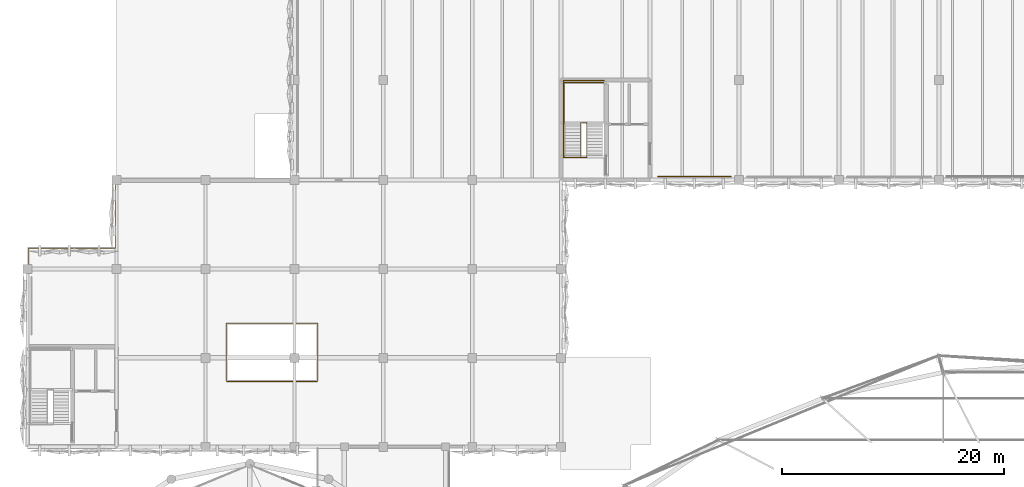
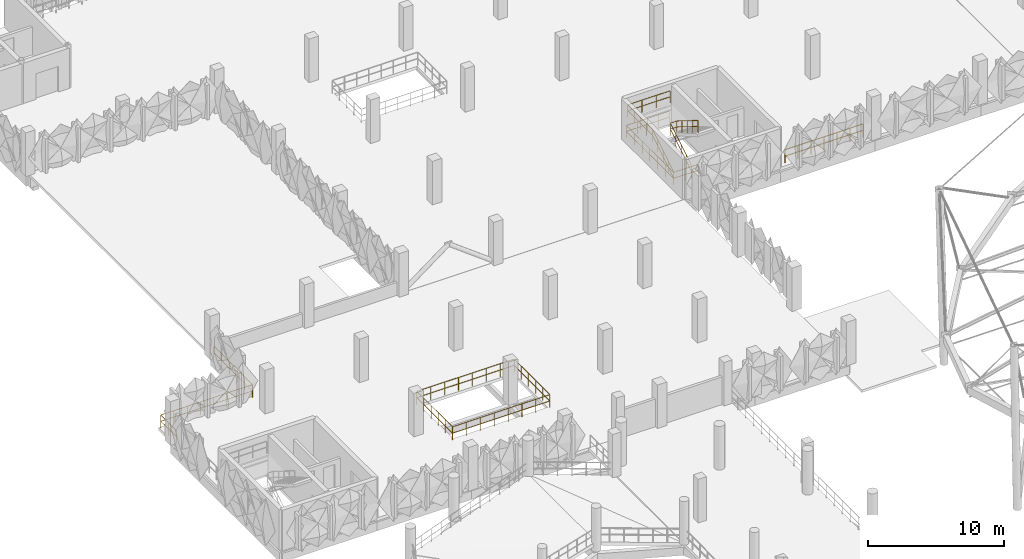
# One storey, part 85 of 96: 6 railings.
"""IFC4 building model written with IfcOpenShell, lengths in metres."""

from ifc_helpers import new_model, si_unit, derived_unit, direction, frame, origin, origin_2d, place, context, subcontext, project, spatial, circle, extrude, material, type_object, element, save


model = new_model("IFC4")

# Units and contexts
model_context = context("Model", 3, precision=1e-05, world=origin(), true_north=direction((0.0, 1.0)))
body_context = subcontext(model_context, "Body", "Model", "MODEL_VIEW")
ifc_project = project(units=[si_unit("LENGTHUNIT", "METRE"), si_unit("AREAUNIT", "SQUARE_METRE"), si_unit("VOLUMEUNIT", "CUBIC_METRE"), si_unit("PLANEANGLEUNIT", "RADIAN"), si_unit("MASSUNIT", "GRAM", prefix="KILO"), si_unit("THERMODYNAMICTEMPERATUREUNIT", "KELVIN"), derived_unit("THERMALTRANSMITTANCEUNIT", [(si_unit("POWERUNIT", "WATT"), 1), (si_unit("AREAUNIT", "SQUARE_METRE"), -1), (si_unit("THERMODYNAMICTEMPERATUREUNIT", "KELVIN"), -1)])], contexts=[model_context])

# Site, building, storey
site_placement = place(None, origin())
site = spatial("IfcSite", under=ifc_project, at=site_placement, CompositionType="ELEMENT")
building_placement = place(site_placement, origin())
building = spatial("IfcBuilding", under=site, at=building_placement, Name="Haiyu Intermodal Mobility Hub", CompositionType="ELEMENT")
storey_placement = place(building_placement, frame((0.0, 0.0, 9.5)))
storey = spatial("IfcBuildingStorey", under=building, at=storey_placement, Name="L02", CompositionType="ELEMENT", Elevation=9.5)

# Railings
ifc_material = material(Name="Steel Q355C", Category="steel")
railing_type_1 = type_object("IfcRailingType", Name="RAL-GR01", PredefinedType="GUARDRAIL", material=ifc_material)
railing_1_placement = place(storey_placement, frame((14.1201171875, 95.60009765625, 0.0)))
element("IfcRailing", 1, at=railing_1_placement, inside=storey, type_object=railing_type_1, Name="RAL-V4WNW-L02", PredefinedType="GUARDRAIL", context=body_context, shape_type="SweptSolid", body=[
    extrude(circle(Radius=0.02392578125, at=origin_2d()), frame((0.0, 0.030029296875, 1.15576171875), z_axis=(0.0, 1.0, 0.0), x_axis=(-1.0, 0.0, 0.0)), (0.0, 0.0, 1.0), 2.2197265625),
    extrude(circle(Radius=0.02392578125, at=origin_2d()), frame((0.0, 0.037353515625, 0.58984375), z_axis=(0.0, 1.0, 0.0), x_axis=(-1.0, 0.0, 0.0)), (0.0, 0.0, 1.0), 1.065185546875),
    extrude(circle(Radius=0.02392578125, at=origin_2d()), frame((0.0, 1.17724609375, 0.58984375), z_axis=(0.0, 1.0, 0.0), x_axis=(-1.0, 0.0, 0.0)), (0.0, 0.0, 1.0), 1.065185546875),
    extrude(circle(Radius=0.02392578125, at=origin_2d()), frame((0.030029296875, 2.27978515625, 1.15576171875), z_axis=(1.0, 0.0, 0.0), x_axis=(0.0, 1.0, 0.0)), (0.0, 0.0, 1.0), 7.69970703125),
    extrude(circle(Radius=0.02392578125, at=origin_2d()), frame((0.037353515625, 2.27978515625, 0.58984375), z_axis=(1.0, 0.0, 0.0), x_axis=(0.0, 1.0, 0.0)), (0.0, 0.0, 1.0), 1.033935546875),
    extrude(circle(Radius=0.02392578125, at=origin_2d()), frame((1.145751953125, 2.27978515625, 0.58984375), z_axis=(1.0, 0.0, 0.0), x_axis=(0.0, 1.0, 0.0)), (0.0, 0.0, 1.0), 1.033935546875),
    extrude(circle(Radius=0.02392578125, at=origin_2d()), frame((2.25439453125, 2.27978515625, 0.58984375), z_axis=(1.0, 0.0, 0.0), x_axis=(0.0, 1.0, 0.0)), (0.0, 0.0, 1.0), 1.033935546875),
    extrude(circle(Radius=0.02392578125, at=origin_2d()), frame((3.36279296875, 2.27978515625, 0.58984375), z_axis=(1.0, 0.0, 0.0), x_axis=(0.0, 1.0, 0.0)), (0.0, 0.0, 1.0), 1.033935546875),
    extrude(circle(Radius=0.02392578125, at=origin_2d()), frame((4.471435546875, 2.27978515625, 0.58984375), z_axis=(1.0, 0.0, 0.0), x_axis=(0.0, 1.0, 0.0)), (0.0, 0.0, 1.0), 1.033935546875),
    extrude(circle(Radius=0.02392578125, at=origin_2d()), frame((5.580078125, 2.27978515625, 0.58984375), z_axis=(1.0, 0.0, 0.0), x_axis=(0.0, 1.0, 0.0)), (0.0, 0.0, 1.0), 1.033935546875),
    extrude(circle(Radius=0.02392578125, at=origin_2d()), frame((6.6884765625, 2.27978515625, 0.58984375), z_axis=(1.0, 0.0, 0.0), x_axis=(0.0, 1.0, 0.0)), (0.0, 0.0, 1.0), 1.033935546875),
    extrude(circle(Radius=0.02392578125, at=origin_2d()), frame((7.759765625, 2.309814453125, 1.15576171875), z_axis=(0.0, 1.0, 0.0), x_axis=(-1.0, 0.0, 0.0)), (0.0, 0.0, 1.0), 5.610107421875),
    extrude(circle(Radius=0.02392578125, at=origin_2d()), frame((7.759765625, 2.317138671875, 0.58984375), z_axis=(0.0, 1.0, 0.0), x_axis=(-1.0, 0.0, 0.0)), (0.0, 0.0, 1.0), 1.059326171875),
    extrude(circle(Radius=0.02392578125, at=origin_2d()), frame((7.759765625, 3.451171875, 0.58984375), z_axis=(0.0, 1.0, 0.0), x_axis=(-1.0, 0.0, 0.0)), (0.0, 0.0, 1.0), 1.059326171875),
    extrude(circle(Radius=0.02392578125, at=origin_2d()), frame((7.759765625, 4.585205078125, 0.58984375), z_axis=(0.0, 1.0, 0.0), x_axis=(-1.0, 0.0, 0.0)), (0.0, 0.0, 1.0), 1.059326171875),
    extrude(circle(Radius=0.02392578125, at=origin_2d()), frame((7.759765625, 5.71923828125, 0.58984375), z_axis=(0.0, 1.0, 0.0), x_axis=(-1.0, 0.0, 0.0)), (0.0, 0.0, 1.0), 1.059326171875),
    extrude(circle(Radius=0.02392578125, at=origin_2d()), frame((7.759765625, 6.853271484375, 0.58984375), z_axis=(0.0, 1.0, 0.0), x_axis=(-1.0, 0.0, 0.0)), (0.0, 0.0, 1.0), 1.059326171875),
    extrude(circle(Radius=0.02099609375, at=origin_2d()), origin(), (0.0, 0.0, 1.0), 1.123779296875),
    extrude(circle(Radius=0.02099609375, at=origin_2d()), frame((0.0, 1.139892578125, 0.0)), (0.0, 0.0, 1.0), 1.123779296875),
    extrude(circle(Radius=0.02099609375, at=origin_2d()), frame((0.0, 2.27978515625, 0.0)), (0.0, 0.0, 1.0), 1.123779296875),
    extrude(circle(Radius=0.02099609375, at=origin_2d()), frame((1.108642578125, 2.27978515625, 0.0)), (0.0, 0.0, 1.0), 1.123779296875),
    extrude(circle(Radius=0.02099609375, at=origin_2d()), frame((2.217041015625, 2.27978515625, 0.0)), (0.0, 0.0, 1.0), 1.123779296875),
    extrude(circle(Radius=0.02099609375, at=origin_2d()), frame((3.32568359375, 2.27978515625, 0.0)), (0.0, 0.0, 1.0), 1.123779296875),
    extrude(circle(Radius=0.02099609375, at=origin_2d()), frame((4.43408203125, 2.27978515625, 0.0)), (0.0, 0.0, 1.0), 1.123779296875),
    extrude(circle(Radius=0.02099609375, at=origin_2d()), frame((5.542724609375, 2.27978515625, 0.0)), (0.0, 0.0, 1.0), 1.123779296875),
    extrude(circle(Radius=0.02099609375, at=origin_2d()), frame((6.651123046875, 2.27978515625, 0.0)), (0.0, 0.0, 1.0), 1.123779296875),
    extrude(circle(Radius=0.02099609375, at=origin_2d()), frame((7.759765625, 2.27978515625, 0.0)), (0.0, 0.0, 1.0), 1.123779296875),
    extrude(circle(Radius=0.02099609375, at=origin_2d()), frame((7.759765625, 3.413818359375, 0.0)), (0.0, 0.0, 1.0), 1.123779296875),
    extrude(circle(Radius=0.02099609375, at=origin_2d()), frame((7.759765625, 4.5478515625, 0.0)), (0.0, 0.0, 1.0), 1.123779296875),
    extrude(circle(Radius=0.02099609375, at=origin_2d()), frame((7.759765625, 5.681884765625, 0.0)), (0.0, 0.0, 1.0), 1.123779296875),
    extrude(circle(Radius=0.02099609375, at=origin_2d()), frame((7.759765625, 6.81591796875, 0.0)), (0.0, 0.0, 1.0), 1.123779296875),
    extrude(circle(Radius=0.02099609375, at=origin_2d()), frame((7.759765625, 7.949951171875, 0.0)), (0.0, 0.0, 1.0), 1.123779296875),
])
railing_2_placement = place(storey_placement, frame((70.699951171875, 104.340087890625, 0.0)))
element("IfcRailing", 2, at=railing_2_placement, inside=storey, type_object=railing_type_1, Name="RAL-CAR-S-0110", PredefinedType="GUARDRAIL", context=body_context, shape_type="SweptSolid", body=[
    extrude(circle(Radius=0.02392578125, at=origin_2d()), frame((0.030029296875, 0.0, 1.17578125), z_axis=(1.0, 0.0, 0.0), x_axis=(0.0, 1.0, 0.0)), (0.0, 0.0, 1.0), 6.5400390625),
    extrude(circle(Radius=0.02392578125, at=origin_2d()), frame((0.037353515625, 0.0, 0.60009765625), z_axis=(1.0, 0.0, 0.0), x_axis=(0.0, 1.0, 0.0)), (0.0, 0.0, 1.0), 1.025390625),
    extrude(circle(Radius=0.02392578125, at=origin_2d()), frame((1.13720703125, 0.0, 0.60009765625), z_axis=(1.0, 0.0, 0.0), x_axis=(0.0, 1.0, 0.0)), (0.0, 0.0, 1.0), 1.025390625),
    extrude(circle(Radius=0.02392578125, at=origin_2d()), frame((2.2373046875, 0.0, 0.60009765625), z_axis=(1.0, 0.0, 0.0), x_axis=(0.0, 1.0, 0.0)), (0.0, 0.0, 1.0), 1.025390625),
    extrude(circle(Radius=0.02392578125, at=origin_2d()), frame((3.33740234375, 0.0, 0.60009765625), z_axis=(1.0, 0.0, 0.0), x_axis=(0.0, 1.0, 0.0)), (0.0, 0.0, 1.0), 1.025390625),
    extrude(circle(Radius=0.02392578125, at=origin_2d()), frame((4.437255859375, 0.0, 0.60009765625), z_axis=(1.0, 0.0, 0.0), x_axis=(0.0, 1.0, 0.0)), (0.0, 0.0, 1.0), 1.025390625),
    extrude(circle(Radius=0.02392578125, at=origin_2d()), frame((5.537353515625, 0.0, 0.60009765625), z_axis=(1.0, 0.0, 0.0), x_axis=(0.0, 1.0, 0.0)), (0.0, 0.0, 1.0), 1.025390625),
    extrude(circle(Radius=0.02099609375, at=origin_2d()), origin(), (0.0, 0.0, 1.0), 1.143798828125),
    extrude(circle(Radius=0.02099609375, at=origin_2d()), frame((1.10009765625, 0.0, 0.0)), (0.0, 0.0, 1.0), 1.143798828125),
    extrude(circle(Radius=0.02099609375, at=origin_2d()), frame((2.199951171875, 0.0, 0.0)), (0.0, 0.0, 1.0), 1.143798828125),
    extrude(circle(Radius=0.02099609375, at=origin_2d()), frame((3.300048828125, 0.0, 0.0)), (0.0, 0.0, 1.0), 1.143798828125),
    extrude(circle(Radius=0.02099609375, at=origin_2d()), frame((4.400146484375, 0.0, 0.0)), (0.0, 0.0, 1.0), 1.143798828125),
    extrude(circle(Radius=0.02099609375, at=origin_2d()), frame((5.5, 0.0, 0.0)), (0.0, 0.0, 1.0), 1.143798828125),
    extrude(circle(Radius=0.02099609375, at=origin_2d()), frame((6.60009765625, 0.0, 0.0)), (0.0, 0.0, 1.0), 1.143798828125),
])
railing_3_placement = place(storey_placement, frame((31.8798828125, 85.8798828125, 0.0)))
element("IfcRailing", 3, at=railing_3_placement, inside=storey, type_object=railing_type_1, Name="RAL-V4WVOID-L02", PredefinedType="GUARDRAIL", context=body_context, shape_type="SweptSolid", body=[
    extrude(circle(Radius=0.02392578125, at=origin_2d()), frame((0.030029296875, 0.0, 1.15576171875), z_axis=(1.0, 0.0, 0.0), x_axis=(0.0, 1.0, 0.0)), (0.0, 0.0, 1.0), 8.18017578125),
    extrude(circle(Radius=0.02392578125, at=origin_2d()), frame((0.037353515625, 0.0, 0.58984375), z_axis=(1.0, 0.0, 0.0), x_axis=(0.0, 1.0, 0.0)), (0.0, 0.0, 1.0), 1.1025390625),
    extrude(circle(Radius=0.02392578125, at=origin_2d()), frame((1.21435546875, 0.0, 0.58984375), z_axis=(1.0, 0.0, 0.0), x_axis=(0.0, 1.0, 0.0)), (0.0, 0.0, 1.0), 1.1025390625),
    extrude(circle(Radius=0.02392578125, at=origin_2d()), frame((2.3916015625, 0.0, 0.58984375), z_axis=(1.0, 0.0, 0.0), x_axis=(0.0, 1.0, 0.0)), (0.0, 0.0, 1.0), 1.1025390625),
    extrude(circle(Radius=0.02392578125, at=origin_2d()), frame((3.56884765625, 0.0, 0.58984375), z_axis=(1.0, 0.0, 0.0), x_axis=(0.0, 1.0, 0.0)), (0.0, 0.0, 1.0), 1.1025390625),
    extrude(circle(Radius=0.02392578125, at=origin_2d()), frame((4.74609375, 0.0, 0.58984375), z_axis=(1.0, 0.0, 0.0), x_axis=(0.0, 1.0, 0.0)), (0.0, 0.0, 1.0), 1.1025390625),
    extrude(circle(Radius=0.02392578125, at=origin_2d()), frame((5.923095703125, 0.0, 0.58984375), z_axis=(1.0, 0.0, 0.0), x_axis=(0.0, 1.0, 0.0)), (0.0, 0.0, 1.0), 1.1025390625),
    extrude(circle(Radius=0.02392578125, at=origin_2d()), frame((7.100341796875, 0.0, 0.58984375), z_axis=(1.0, 0.0, 0.0), x_axis=(0.0, 1.0, 0.0)), (0.0, 0.0, 1.0), 1.1025390625),
    extrude(circle(Radius=0.02392578125, at=origin_2d()), frame((8.240234375, 0.030029296875, 1.15576171875), z_axis=(0.0, 1.0, 0.0), x_axis=(-1.0, 0.0, 0.0)), (0.0, 0.0, 1.0), 5.18017578125),
    extrude(circle(Radius=0.02392578125, at=origin_2d()), frame((8.240234375, 0.037353515625, 0.58984375), z_axis=(0.0, 1.0, 0.0), x_axis=(-1.0, 0.0, 0.0)), (0.0, 0.0, 1.0), 0.973388671875),
    extrude(circle(Radius=0.02392578125, at=origin_2d()), frame((8.240234375, 1.08544921875, 0.58984375), z_axis=(0.0, 1.0, 0.0), x_axis=(-1.0, 0.0, 0.0)), (0.0, 0.0, 1.0), 0.973388671875),
    extrude(circle(Radius=0.02392578125, at=origin_2d()), frame((8.240234375, 2.13330078125, 0.58984375), z_axis=(0.0, 1.0, 0.0), x_axis=(-1.0, 0.0, 0.0)), (0.0, 0.0, 1.0), 0.973388671875),
    extrude(circle(Radius=0.02392578125, at=origin_2d()), frame((8.240234375, 3.181396484375, 0.58984375), z_axis=(0.0, 1.0, 0.0), x_axis=(-1.0, 0.0, 0.0)), (0.0, 0.0, 1.0), 0.973388671875),
    extrude(circle(Radius=0.02392578125, at=origin_2d()), frame((8.240234375, 4.2294921875, 0.58984375), z_axis=(0.0, 1.0, 0.0), x_axis=(-1.0, 0.0, 0.0)), (0.0, 0.0, 1.0), 0.973388671875),
    extrude(circle(Radius=0.02392578125, at=origin_2d()), frame((8.210205078125, 5.240234375, 1.15576171875), z_axis=(-1.0, 0.0, 0.0), x_axis=(0.0, -1.0, 0.0)), (0.0, 0.0, 1.0), 8.18017578125),
    extrude(circle(Radius=0.02392578125, at=origin_2d()), frame((8.202880859375, 5.240234375, 0.58984375), z_axis=(-1.0, 0.0, 0.0), x_axis=(0.0, -1.0, 0.0)), (0.0, 0.0, 1.0), 1.1025390625),
    extrude(circle(Radius=0.02392578125, at=origin_2d()), frame((7.02587890625, 5.240234375, 0.58984375), z_axis=(-1.0, 0.0, 0.0), x_axis=(0.0, -1.0, 0.0)), (0.0, 0.0, 1.0), 1.1025390625),
    extrude(circle(Radius=0.02392578125, at=origin_2d()), frame((5.8486328125, 5.240234375, 0.58984375), z_axis=(-1.0, 0.0, 0.0), x_axis=(0.0, -1.0, 0.0)), (0.0, 0.0, 1.0), 1.1025390625),
    extrude(circle(Radius=0.02392578125, at=origin_2d()), frame((4.67138671875, 5.240234375, 0.58984375), z_axis=(-1.0, 0.0, 0.0), x_axis=(0.0, -1.0, 0.0)), (0.0, 0.0, 1.0), 1.1025390625),
    extrude(circle(Radius=0.02392578125, at=origin_2d()), frame((3.494140625, 5.240234375, 0.58984375), z_axis=(-1.0, 0.0, 0.0), x_axis=(0.0, -1.0, 0.0)), (0.0, 0.0, 1.0), 1.1025390625),
    extrude(circle(Radius=0.02392578125, at=origin_2d()), frame((2.317138671875, 5.240234375, 0.58984375), z_axis=(-1.0, 0.0, 0.0), x_axis=(0.0, -1.0, 0.0)), (0.0, 0.0, 1.0), 1.1025390625),
    extrude(circle(Radius=0.02392578125, at=origin_2d()), frame((1.139892578125, 5.240234375, 0.58984375), z_axis=(-1.0, 0.0, 0.0), x_axis=(0.0, -1.0, 0.0)), (0.0, 0.0, 1.0), 1.1025390625),
    extrude(circle(Radius=0.02392578125, at=origin_2d()), frame((0.0, 5.210205078125, 1.15576171875), z_axis=(0.0, -1.0, 0.0), x_axis=(1.0, 0.0, 0.0)), (0.0, 0.0, 1.0), 5.18017578125),
    extrude(circle(Radius=0.02392578125, at=origin_2d()), frame((0.0, 5.202880859375, 0.58984375), z_axis=(0.0, -1.0, 0.0), x_axis=(1.0, 0.0, 0.0)), (0.0, 0.0, 1.0), 0.973388671875),
    extrude(circle(Radius=0.02392578125, at=origin_2d()), frame((0.0, 4.15478515625, 0.58984375), z_axis=(0.0, -1.0, 0.0), x_axis=(1.0, 0.0, 0.0)), (0.0, 0.0, 1.0), 0.973388671875),
    extrude(circle(Radius=0.02392578125, at=origin_2d()), frame((0.0, 3.10693359375, 0.58984375), z_axis=(0.0, -1.0, 0.0), x_axis=(1.0, 0.0, 0.0)), (0.0, 0.0, 1.0), 0.973388671875),
    extrude(circle(Radius=0.02392578125, at=origin_2d()), frame((0.0, 2.058837890625, 0.58984375), z_axis=(0.0, -1.0, 0.0), x_axis=(1.0, 0.0, 0.0)), (0.0, 0.0, 1.0), 0.973388671875),
    extrude(circle(Radius=0.02392578125, at=origin_2d()), frame((0.0, 1.0107421875, 0.58984375), z_axis=(0.0, -1.0, 0.0), x_axis=(1.0, 0.0, 0.0)), (0.0, 0.0, 1.0), 0.973388671875),
    extrude(circle(Radius=0.02099609375, at=origin_2d()), origin(), (0.0, 0.0, 1.0), 1.123779296875),
    extrude(circle(Radius=0.02099609375, at=origin_2d()), frame((1.17724609375, 0.0, 0.0)), (0.0, 0.0, 1.0), 1.123779296875),
    extrude(circle(Radius=0.02099609375, at=origin_2d()), frame((2.354248046875, 0.0, 0.0)), (0.0, 0.0, 1.0), 1.123779296875),
    extrude(circle(Radius=0.02099609375, at=origin_2d()), frame((3.531494140625, 0.0, 0.0)), (0.0, 0.0, 1.0), 1.123779296875),
    extrude(circle(Radius=0.02099609375, at=origin_2d()), frame((4.708740234375, 0.0, 0.0)), (0.0, 0.0, 1.0), 1.123779296875),
    extrude(circle(Radius=0.02099609375, at=origin_2d()), frame((5.885986328125, 0.0, 0.0)), (0.0, 0.0, 1.0), 1.123779296875),
    extrude(circle(Radius=0.02099609375, at=origin_2d()), frame((7.06298828125, 0.0, 0.0)), (0.0, 0.0, 1.0), 1.123779296875),
    extrude(circle(Radius=0.02099609375, at=origin_2d()), frame((8.240234375, 0.0, 0.0)), (0.0, 0.0, 1.0), 1.123779296875),
    extrude(circle(Radius=0.02099609375, at=origin_2d()), frame((8.240234375, 1.048095703125, 0.0)), (0.0, 0.0, 1.0), 1.123779296875),
    extrude(circle(Radius=0.02099609375, at=origin_2d()), frame((8.240234375, 2.09619140625, 0.0)), (0.0, 0.0, 1.0), 1.123779296875),
    extrude(circle(Radius=0.02099609375, at=origin_2d()), frame((8.240234375, 3.14404296875, 0.0)), (0.0, 0.0, 1.0), 1.123779296875),
    extrude(circle(Radius=0.02099609375, at=origin_2d()), frame((8.240234375, 4.192138671875, 0.0)), (0.0, 0.0, 1.0), 1.123779296875),
    extrude(circle(Radius=0.02099609375, at=origin_2d()), frame((8.240234375, 5.240234375, 0.0)), (0.0, 0.0, 1.0), 1.123779296875),
    extrude(circle(Radius=0.02099609375, at=origin_2d()), frame((7.06298828125, 5.240234375, 0.0)), (0.0, 0.0, 1.0), 1.123779296875),
    extrude(circle(Radius=0.02099609375, at=origin_2d()), frame((5.885986328125, 5.240234375, 0.0)), (0.0, 0.0, 1.0), 1.123779296875),
    extrude(circle(Radius=0.02099609375, at=origin_2d()), frame((4.708740234375, 5.240234375, 0.0)), (0.0, 0.0, 1.0), 1.123779296875),
    extrude(circle(Radius=0.02099609375, at=origin_2d()), frame((3.531494140625, 5.240234375, 0.0)), (0.0, 0.0, 1.0), 1.123779296875),
    extrude(circle(Radius=0.02099609375, at=origin_2d()), frame((2.354248046875, 5.240234375, 0.0)), (0.0, 0.0, 1.0), 1.123779296875),
    extrude(circle(Radius=0.02099609375, at=origin_2d()), frame((1.17724609375, 5.240234375, 0.0)), (0.0, 0.0, 1.0), 1.123779296875),
    extrude(circle(Radius=0.02099609375, at=origin_2d()), frame((0.0, 5.240234375, 0.0)), (0.0, 0.0, 1.0), 1.123779296875),
    extrude(circle(Radius=0.02099609375, at=origin_2d()), frame((0.0, 4.192138671875, 0.0)), (0.0, 0.0, 1.0), 1.123779296875),
    extrude(circle(Radius=0.02099609375, at=origin_2d()), frame((0.0, 3.14404296875, 0.0)), (0.0, 0.0, 1.0), 1.123779296875),
    extrude(circle(Radius=0.02099609375, at=origin_2d()), frame((0.0, 2.09619140625, 0.0)), (0.0, 0.0, 1.0), 1.123779296875),
    extrude(circle(Radius=0.02099609375, at=origin_2d()), frame((0.0, 1.048095703125, 0.0)), (0.0, 0.0, 1.0), 1.123779296875),
])
railing_type_2 = type_object("IfcRailingType", Name="RAL-GR03", PredefinedType="GUARDRAIL", material=ifc_material)
railing_4_placement = place(storey_placement, frame((64.31005859375, 106.010009765625, 0.0)))
element("IfcRailing", 4, at=railing_4_placement, inside=storey, type_object=railing_type_2, Name="Stair Shaft Floor Guard STR-C5-L01", PredefinedType="GUARDRAIL", context=body_context, shape_type="SweptSolid", body=[
    extrude(circle(Radius=0.02392578125, at=origin_2d()), frame((-0.030029296875, 0.0, 1.09619140625), z_axis=(-1.0, 0.0, 0.0), x_axis=(0.0, -1.0, 0.0)), (0.0, 0.0, 1.0), 2.030029296875),
    extrude(circle(Radius=0.02392578125, at=origin_2d()), frame((-0.037353515625, 0.0, 0.56005859375), z_axis=(-1.0, 0.0, 0.0), x_axis=(0.0, -1.0, 0.0)), (0.0, 0.0, 1.0), 0.970458984375),
    extrude(circle(Radius=0.02392578125, at=origin_2d()), frame((-1.082275390625, 0.0, 0.56005859375), z_axis=(-1.0, 0.0, 0.0), x_axis=(0.0, -1.0, 0.0)), (0.0, 0.0, 1.0), 0.970458984375),
    extrude(circle(Radius=0.02392578125, at=origin_2d()), frame((-2.090087890625, 0.030029296875, 1.09619140625), z_axis=(0.0, 1.0, 0.0), x_axis=(-1.0, 0.0, 0.0)), (0.0, 0.0, 1.0), 6.8798828125),
    extrude(circle(Radius=0.02392578125, at=origin_2d()), frame((-2.090087890625, 0.037353515625, 0.56005859375), z_axis=(0.0, 1.0, 0.0), x_axis=(-1.0, 0.0, 0.0)), (0.0, 0.0, 1.0), 1.08203125),
    extrude(circle(Radius=0.02392578125, at=origin_2d()), frame((-2.090087890625, 1.19384765625, 0.56005859375), z_axis=(0.0, 1.0, 0.0), x_axis=(-1.0, 0.0, 0.0)), (0.0, 0.0, 1.0), 1.08203125),
    extrude(circle(Radius=0.02392578125, at=origin_2d()), frame((-2.090087890625, 2.3505859375, 0.56005859375), z_axis=(0.0, 1.0, 0.0), x_axis=(-1.0, 0.0, 0.0)), (0.0, 0.0, 1.0), 1.08203125),
    extrude(circle(Radius=0.02392578125, at=origin_2d()), frame((-2.090087890625, 3.50732421875, 0.56005859375), z_axis=(0.0, 1.0, 0.0), x_axis=(-1.0, 0.0, 0.0)), (0.0, 0.0, 1.0), 1.08203125),
    extrude(circle(Radius=0.02392578125, at=origin_2d()), frame((-2.090087890625, 4.663818359375, 0.56005859375), z_axis=(0.0, 1.0, 0.0), x_axis=(-1.0, 0.0, 0.0)), (0.0, 0.0, 1.0), 1.08203125),
    extrude(circle(Radius=0.02392578125, at=origin_2d()), frame((-2.090087890625, 5.820556640625, 0.56005859375), z_axis=(0.0, 1.0, 0.0), x_axis=(-1.0, 0.0, 0.0)), (0.0, 0.0, 1.0), 1.08203125),
    extrude(circle(Radius=0.02392578125, at=origin_2d()), frame((-2.06005859375, 6.93994140625, 1.09619140625), z_axis=(1.0, 0.0, 0.0), x_axis=(0.0, 1.0, 0.0)), (0.0, 0.0, 1.0), 3.590087890625),
    extrude(circle(Radius=0.02392578125, at=origin_2d()), frame((-2.052734375, 6.93994140625, 0.56005859375), z_axis=(1.0, 0.0, 0.0), x_axis=(0.0, 1.0, 0.0)), (0.0, 0.0, 1.0), 0.837890625),
    extrude(circle(Radius=0.02392578125, at=origin_2d()), frame((-1.14013671875, 6.93994140625, 0.56005859375), z_axis=(1.0, 0.0, 0.0), x_axis=(0.0, 1.0, 0.0)), (0.0, 0.0, 1.0), 0.837890625),
    extrude(circle(Radius=0.02392578125, at=origin_2d()), frame((-0.227783203125, 6.93994140625, 0.56005859375), z_axis=(1.0, 0.0, 0.0), x_axis=(0.0, 1.0, 0.0)), (0.0, 0.0, 1.0), 0.837890625),
    extrude(circle(Radius=0.02392578125, at=origin_2d()), frame((0.684814453125, 6.93994140625, 0.56005859375), z_axis=(1.0, 0.0, 0.0), x_axis=(0.0, 1.0, 0.0)), (0.0, 0.0, 1.0), 0.837890625),
    extrude(circle(Radius=0.02099609375, at=origin_2d()), origin(), (0.0, 0.0, 1.0), 1.06396484375),
    extrude(circle(Radius=0.02099609375, at=origin_2d()), frame((-1.044921875, 0.0, 0.0)), (0.0, 0.0, 1.0), 1.06396484375),
    extrude(circle(Radius=0.02099609375, at=origin_2d()), frame((-2.090087890625, 0.0, 0.0)), (0.0, 0.0, 1.0), 1.06396484375),
    extrude(circle(Radius=0.02099609375, at=origin_2d()), frame((-2.090087890625, 1.15673828125, 0.0)), (0.0, 0.0, 1.0), 1.06396484375),
    extrude(circle(Radius=0.02099609375, at=origin_2d()), frame((-2.090087890625, 2.313232421875, 0.0)), (0.0, 0.0, 1.0), 1.06396484375),
    extrude(circle(Radius=0.02099609375, at=origin_2d()), frame((-2.090087890625, 3.469970703125, 0.0)), (0.0, 0.0, 1.0), 1.06396484375),
    extrude(circle(Radius=0.02099609375, at=origin_2d()), frame((-2.090087890625, 4.626708984375, 0.0)), (0.0, 0.0, 1.0), 1.06396484375),
    extrude(circle(Radius=0.02099609375, at=origin_2d()), frame((-2.090087890625, 5.783203125, 0.0)), (0.0, 0.0, 1.0), 1.06396484375),
    extrude(circle(Radius=0.02099609375, at=origin_2d()), frame((-2.090087890625, 6.93994140625, 0.0)), (0.0, 0.0, 1.0), 1.06396484375),
    extrude(circle(Radius=0.02099609375, at=origin_2d()), frame((-1.177490234375, 6.93994140625, 0.0)), (0.0, 0.0, 1.0), 1.06396484375),
    extrude(circle(Radius=0.02099609375, at=origin_2d()), frame((-0.26513671875, 6.93994140625, 0.0)), (0.0, 0.0, 1.0), 1.06396484375),
    extrude(circle(Radius=0.02099609375, at=origin_2d()), frame((0.6474609375, 6.93994140625, 0.0)), (0.0, 0.0, 1.0), 1.06396484375),
    extrude(circle(Radius=0.02099609375, at=origin_2d()), frame((1.56005859375, 6.93994140625, 0.0)), (0.0, 0.0, 1.0), 1.06396484375),
])
railing_5_placement = place(storey_placement, frame((63.780029296875, 106.050048828125, 0.0)))
element("IfcRailing", 5, at=railing_5_placement, inside=storey, type_object=railing_type_2, Name="Stair Well Guard STR-C5-L02", PredefinedType="GUARDRAIL", context=body_context, shape_type="SweptSolid", body=[
    extrude(circle(Radius=0.02392578125, at=origin_2d()), frame((0.0, 0.025390625, 1.11181640625), z_axis=(0.0, 0.848756196164, 0.528784378999), x_axis=(-1.0, 0.0, 0.0)), (0.0, 0.0, 1.0), 3.627685546875),
    extrude(circle(Radius=0.02392578125, at=origin_2d()), frame((0.0, 0.03173828125, 0.579833984375), z_axis=(0.0, 0.848756196164, 0.528784378999), x_axis=(-1.0, 0.0, 0.0)), (0.0, 0.0, 1.0), 0.847412109375),
    extrude(circle(Radius=0.02392578125, at=origin_2d()), frame((0.0, 0.814208984375, 1.0673828125), z_axis=(0.0, 0.848756196164, 0.528784378999), x_axis=(-1.0, 0.0, 0.0)), (0.0, 0.0, 1.0), 0.847412109375),
    extrude(circle(Radius=0.02392578125, at=origin_2d()), frame((0.0, 1.5966796875, 1.5546875), z_axis=(0.0, 0.848756196164, 0.528784378999), x_axis=(-1.0, 0.0, 0.0)), (0.0, 0.0, 1.0), 0.847412109375),
    extrude(circle(Radius=0.02392578125, at=origin_2d()), frame((0.0, 2.379150390625, 2.042236328125), z_axis=(0.0, 0.848756196164, 0.528784378999), x_axis=(-1.0, 0.0, 0.0)), (0.0, 0.0, 1.0), 0.847412109375),
    extrude(circle(Radius=0.02392578125, at=origin_2d()), frame((0.030029296875, 3.1298828125, 3.0458984375), z_axis=(1.0, 0.0, 0.0), x_axis=(0.0, 1.0, 0.0)), (0.0, 0.0, 1.0), 0.469970703125),
    extrude(circle(Radius=0.02392578125, at=origin_2d()), frame((0.037353515625, 3.1298828125, 2.510009765625), z_axis=(1.0, 0.0, 0.0), x_axis=(0.0, 1.0, 0.0)), (0.0, 0.0, 1.0), 0.455322265625),
    extrude(circle(Radius=0.02392578125, at=origin_2d()), frame((0.530029296875, 3.1044921875, 3.061767578125), z_axis=(0.0, -0.848756196164, 0.528784378999), x_axis=(1.0, 0.0, 0.0)), (0.0, 0.0, 1.0), 3.627685546875),
    extrude(circle(Radius=0.02392578125, at=origin_2d()), frame((0.530029296875, 3.09814453125, 2.52978515625), z_axis=(0.0, -0.848756196164, 0.528784378999), x_axis=(1.0, 0.0, 0.0)), (0.0, 0.0, 1.0), 0.847412109375),
    extrude(circle(Radius=0.02392578125, at=origin_2d()), frame((0.530029296875, 2.315673828125, 3.017333984375), z_axis=(0.0, -0.848756196164, 0.528784378999), x_axis=(1.0, 0.0, 0.0)), (0.0, 0.0, 1.0), 0.847412109375),
    extrude(circle(Radius=0.02392578125, at=origin_2d()), frame((0.530029296875, 1.533203125, 3.504638671875), z_axis=(0.0, -0.848756196164, 0.528784378999), x_axis=(1.0, 0.0, 0.0)), (0.0, 0.0, 1.0), 0.847412109375),
    extrude(circle(Radius=0.02392578125, at=origin_2d()), frame((0.530029296875, 0.750732421875, 3.9921875), z_axis=(0.0, -0.848756196164, 0.528784378999), x_axis=(1.0, 0.0, 0.0)), (0.0, 0.0, 1.0), 0.847412109375),
    extrude(circle(Radius=0.02099609375, at=origin_2d()), origin(), (0.0, 0.0, 1.0), 1.06396484375),
    extrude(circle(Radius=0.02099609375, at=origin_2d()), frame((0.0, 0.782470703125, 0.487548828125)), (0.0, 0.0, 1.0), 1.06396484375),
    extrude(circle(Radius=0.02099609375, at=origin_2d()), frame((0.0, 1.56494140625, 0.97509765625)), (0.0, 0.0, 1.0), 1.06396484375),
    extrude(circle(Radius=0.02099609375, at=origin_2d()), frame((0.0, 2.347412109375, 1.46240234375)), (0.0, 0.0, 1.0), 1.06396484375),
    extrude(circle(Radius=0.02099609375, at=origin_2d()), frame((0.0, 3.1298828125, 1.949951171875)), (0.0, 0.0, 1.0), 1.06396484375),
    extrude(circle(Radius=0.02099609375, at=origin_2d()), frame((0.530029296875, 3.1298828125, 1.949951171875)), (0.0, 0.0, 1.0), 1.06396484375),
    extrude(circle(Radius=0.02099609375, at=origin_2d()), frame((0.530029296875, 2.347412109375, 2.4375)), (0.0, 0.0, 1.0), 1.06396484375),
    extrude(circle(Radius=0.02099609375, at=origin_2d()), frame((0.530029296875, 1.56494140625, 2.9248046875)), (0.0, 0.0, 1.0), 1.06396484375),
    extrude(circle(Radius=0.02099609375, at=origin_2d()), frame((0.530029296875, 0.782470703125, 3.412353515625)), (0.0, 0.0, 1.0), 1.06396484375),
    extrude(circle(Radius=0.02099609375, at=origin_2d()), frame((0.530029296875, 0.0, 3.89990234375)), (0.0, 0.0, 1.0), 1.06396484375),
])
railing_6_placement = place(storey_placement, frame((62.25, 106.050048828125, 0.0)))
element("IfcRailing", 6, at=railing_6_placement, inside=storey, type_object=railing_type_2, Name="Stair Outer Guard STR-C5-L02", PredefinedType="GUARDRAIL", context=body_context, shape_type="SweptSolid", body=[
    extrude(circle(Radius=0.02392578125, at=origin_2d()), frame((0.0, 0.025390625, 1.112060546875), z_axis=(0.0, 0.844894753029, 0.534932571736), x_axis=(-1.0, 0.0, 0.0)), (0.0, 0.0, 1.0), 3.585205078125),
    extrude(circle(Radius=0.02392578125, at=origin_2d()), frame((0.0, 0.031494140625, 0.580078125), z_axis=(0.0, 0.844894753029, 0.534932571736), x_axis=(-1.0, 0.0, 0.0)), (0.0, 0.0, 1.0), 0.836669921875),
    extrude(circle(Radius=0.02392578125, at=origin_2d()), frame((0.0, 0.801513671875, 1.0673828125), z_axis=(0.0, 0.844894753029, 0.534932571736), x_axis=(-1.0, 0.0, 0.0)), (0.0, 0.0, 1.0), 0.836669921875),
    extrude(circle(Radius=0.02392578125, at=origin_2d()), frame((0.0, 1.571533203125, 1.554931640625), z_axis=(0.0, 0.844894753029, 0.534932571736), x_axis=(-1.0, 0.0, 0.0)), (0.0, 0.0, 1.0), 0.836669921875),
    extrude(circle(Radius=0.02392578125, at=origin_2d()), frame((0.0, 2.34130859375, 2.04248046875), z_axis=(0.0, 0.844894753029, 0.534932571736), x_axis=(-1.0, 0.0, 0.0)), (0.0, 0.0, 1.0), 0.836669921875),
    extrude(circle(Radius=0.02392578125, at=origin_2d()), frame((0.0, 3.10986328125, 3.0458984375), z_axis=(0.0, 1.0, 0.0), x_axis=(-1.0, 0.0, 0.0)), (0.0, 0.0, 1.0), 3.570068359375),
    extrude(circle(Radius=0.02392578125, at=origin_2d()), frame((0.0, 3.1171875, 2.510009765625), z_axis=(0.0, 1.0, 0.0), x_axis=(-1.0, 0.0, 0.0)), (0.0, 0.0, 1.0), 0.8330078125),
    extrude(circle(Radius=0.02392578125, at=origin_2d()), frame((0.0, 4.024658203125, 2.510009765625), z_axis=(0.0, 1.0, 0.0), x_axis=(-1.0, 0.0, 0.0)), (0.0, 0.0, 1.0), 0.8330078125),
    extrude(circle(Radius=0.02392578125, at=origin_2d()), frame((0.0, 4.93212890625, 2.510009765625), z_axis=(0.0, 1.0, 0.0), x_axis=(-1.0, 0.0, 0.0)), (0.0, 0.0, 1.0), 0.8330078125),
    extrude(circle(Radius=0.02392578125, at=origin_2d()), frame((0.0, 5.83984375, 2.510009765625), z_axis=(0.0, 1.0, 0.0), x_axis=(-1.0, 0.0, 0.0)), (0.0, 0.0, 1.0), 0.8330078125),
    extrude(circle(Radius=0.02392578125, at=origin_2d()), frame((0.030029296875, 6.7099609375, 3.0458984375), z_axis=(1.0, 0.0, 0.0), x_axis=(0.0, 1.0, 0.0)), (0.0, 0.0, 1.0), 3.52001953125),
    extrude(circle(Radius=0.02392578125, at=origin_2d()), frame((0.037353515625, 6.7099609375, 2.510009765625), z_axis=(1.0, 0.0, 0.0), x_axis=(0.0, 1.0, 0.0)), (0.0, 0.0, 1.0), 1.11865234375),
    extrude(circle(Radius=0.02392578125, at=origin_2d()), frame((1.230712890625, 6.7099609375, 2.510009765625), z_axis=(1.0, 0.0, 0.0), x_axis=(0.0, 1.0, 0.0)), (0.0, 0.0, 1.0), 1.11865234375),
    extrude(circle(Radius=0.02392578125, at=origin_2d()), frame((2.424072265625, 6.7099609375, 2.510009765625), z_axis=(1.0, 0.0, 0.0), x_axis=(0.0, 1.0, 0.0)), (0.0, 0.0, 1.0), 1.11865234375),
    extrude(circle(Radius=0.02099609375, at=origin_2d()), origin(), (0.0, 0.0, 1.0), 1.06396484375),
    extrude(circle(Radius=0.02099609375, at=origin_2d()), frame((0.0, 0.77001953125, 0.487548828125)), (0.0, 0.0, 1.0), 1.06396484375),
    extrude(circle(Radius=0.02099609375, at=origin_2d()), frame((0.0, 1.5400390625, 0.97509765625)), (0.0, 0.0, 1.0), 1.06396484375),
    extrude(circle(Radius=0.02099609375, at=origin_2d()), frame((0.0, 2.309814453125, 1.46240234375)), (0.0, 0.0, 1.0), 1.06396484375),
    extrude(circle(Radius=0.02099609375, at=origin_2d()), frame((0.0, 3.079833984375, 1.949951171875)), (0.0, 0.0, 1.0), 1.06396484375),
    extrude(circle(Radius=0.02099609375, at=origin_2d()), frame((0.0, 3.9873046875, 1.949951171875)), (0.0, 0.0, 1.0), 1.06396484375),
    extrude(circle(Radius=0.02099609375, at=origin_2d()), frame((0.0, 4.89501953125, 1.949951171875)), (0.0, 0.0, 1.0), 1.06396484375),
    extrude(circle(Radius=0.02099609375, at=origin_2d()), frame((0.0, 5.802490234375, 1.949951171875)), (0.0, 0.0, 1.0), 1.06396484375),
    extrude(circle(Radius=0.02099609375, at=origin_2d()), frame((0.0, 6.7099609375, 1.949951171875)), (0.0, 0.0, 1.0), 1.06396484375),
    extrude(circle(Radius=0.02099609375, at=origin_2d()), frame((1.193359375, 6.7099609375, 1.949951171875)), (0.0, 0.0, 1.0), 1.06396484375),
    extrude(circle(Radius=0.02099609375, at=origin_2d()), frame((2.38671875, 6.7099609375, 1.949951171875)), (0.0, 0.0, 1.0), 1.06396484375),
    extrude(circle(Radius=0.02099609375, at=origin_2d()), frame((3.580078125, 6.7099609375, 1.949951171875)), (0.0, 0.0, 1.0), 1.06396484375),
])

save(model, "model.ifc")
